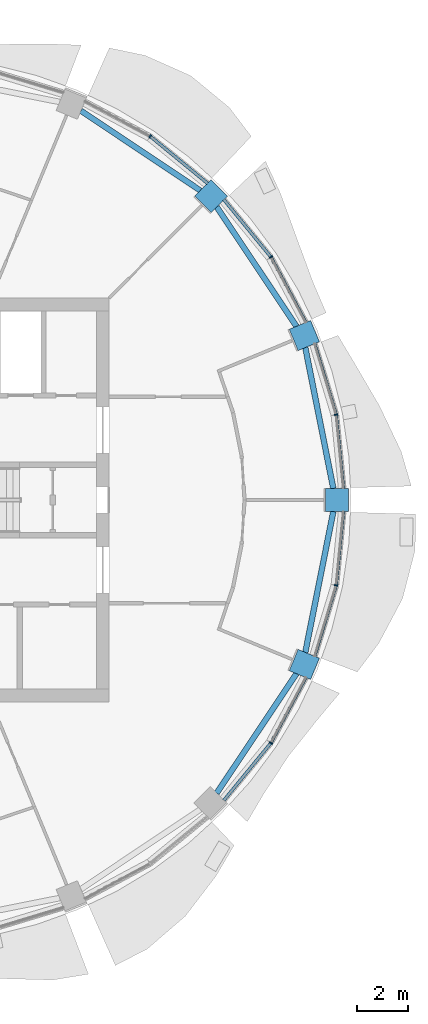
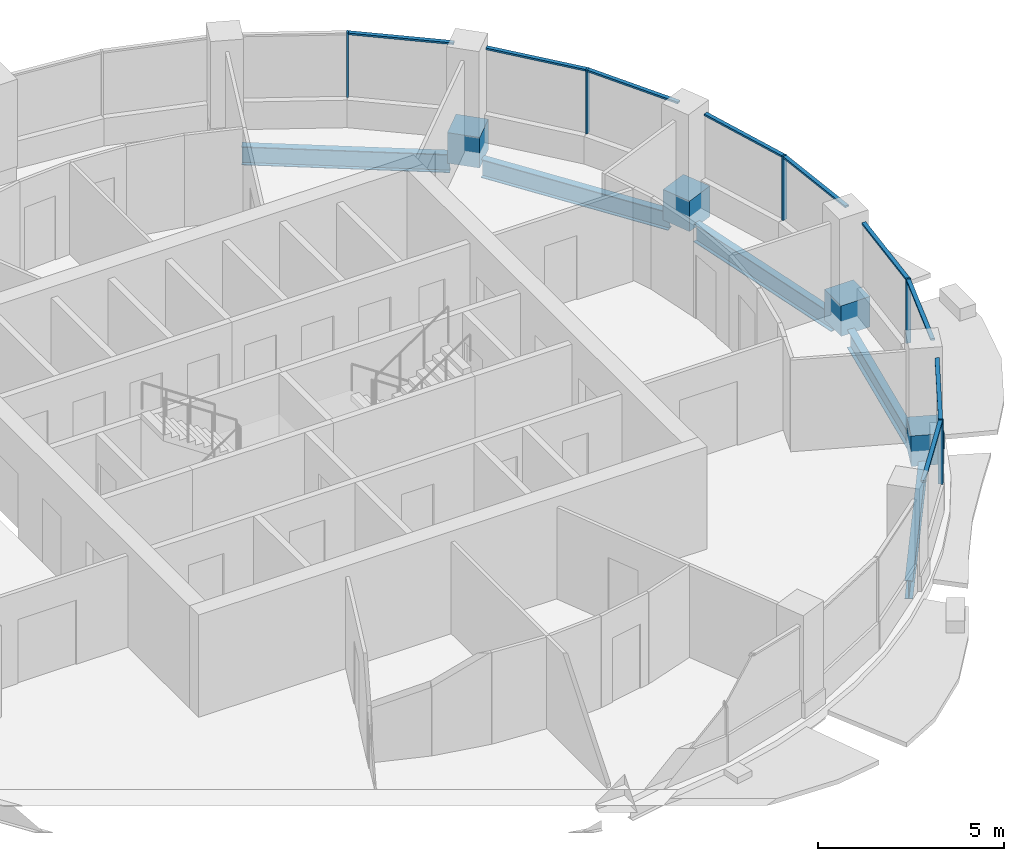
# One storey, part 5 of 15: 18 members, 5 beams, 5 elements without a shape of their own.
"""IFC4 building model written with IfcOpenShell, lengths in metres."""

from ifc_helpers import new_model, si_unit, direction, frame, origin, origin_2d, place, context, subcontext, project, spatial, rectangle, i_section, extrude, material, material_profile, profile_set, type_object, element, aggregate, save


model = new_model("IFC4")

# Units and contexts
model_context = context("Model", 3, precision=1e-05, world=origin(), true_north=direction((0.0, 1.0)))
body_context = subcontext(model_context, "Body", "Model", "MODEL_VIEW")
ifc_project = project(units=[si_unit("LENGTHUNIT", "METRE"), si_unit("AREAUNIT", "SQUARE_METRE"), si_unit("VOLUMEUNIT", "CUBIC_METRE"), si_unit("PLANEANGLEUNIT", "RADIAN"), si_unit("MASSUNIT", "GRAM", prefix="KILO")], contexts=[model_context])

# Site, building, storey
site_placement = place(None, origin())
site = spatial("IfcSite", under=ifc_project, at=site_placement, CompositionType="ELEMENT")
building_placement = place(site_placement, origin())
building = spatial("IfcBuilding", under=site, at=building_placement, Name="Polderwave Tower", CompositionType="ELEMENT")
storey_placement = place(building_placement, frame((0.0, 0.0, 197.699951171875)))
storey = spatial("IfcBuildingStorey", under=building, at=storey_placement, Name="L53", CompositionType="ELEMENT", Elevation=197.699951171875)

# Curtain wall, member
ifc_material_1 = material(Name="Aluminium 6063-T6 and glass", Category="aluminium")
curtain_wall_type = type_object("IfcCurtainWallType", Name="Office ribbon glazing wall", PredefinedType="NOTDEFINED", material=ifc_material_1)
curtain_wall_1_placement = place(storey_placement, origin())
curtain_wall_1 = element("IfcCurtainWall", 1, at=curtain_wall_1_placement, inside=storey, type_object=curtain_wall_type, Name="CW3 L53 00", PredefinedType="NOTDEFINED")
ifc_material_2 = material(Name="Aluminium 6063-T6", Category="aluminium")
ifc_material_profile_1 = material_profile(ifc_material_2, rectangle(XDim=0.139892578125, YDim=0.054931640625, at=origin_2d()), Name="AL 55x140")
ifc_profile_set_1 = profile_set([ifc_material_profile_1], Name="Aluminium 6063-T6")
member_type_1 = type_object("IfcMemberType", Name="Office ribbon glazing mullion 55x140", PredefinedType="MULLION", material=ifc_profile_set_1)
member_1_placement = place(storey_placement, frame((16.721923828125, 3.325927734375, 0.900146484375), z_axis=(0.0, 0.0, 1.0), x_axis=(-0.980762460409, -0.195205010829, 0.0)))
member_1 = element("IfcMember", 2, at=member_1_placement, type_object=member_type_1, Name="CW3 mullion 1", PredefinedType="MULLION", context=body_context, shape_type="SweptSolid", body=[
    extrude(rectangle(XDim=0.139892578125, YDim=0.054931640625, at=origin_2d()), origin(), (0.0, 0.0, 1.0), 2.099853515625),
])

curtain_wall_2_placement = place(storey_placement, origin())
curtain_wall_2 = element("IfcCurtainWall", 3, at=curtain_wall_2_placement, inside=storey, type_object=curtain_wall_type, Name="CW3 L53 01", PredefinedType="NOTDEFINED")
member_2_placement = place(storey_placement, frame((14.177001953125, 9.471923828125, 0.900146484375), z_axis=(0.0, 0.0, 1.0), x_axis=(-0.831480278332, -0.555554269847, 0.0)))
member_2 = element("IfcMember", 4, at=member_2_placement, type_object=member_type_1, Name="CW3 mullion 1", PredefinedType="MULLION", context=body_context, shape_type="SweptSolid", body=[
    extrude(rectangle(XDim=0.139892578125, YDim=0.054931640625, at=origin_2d()), origin(), (0.0, 0.0, 1.0), 2.099853515625),
])

curtain_wall_3_placement = place(storey_placement, origin())
curtain_wall_3 = element("IfcCurtainWall", 5, at=curtain_wall_3_placement, inside=storey, type_object=curtain_wall_type, Name="CW3 L53 02", PredefinedType="NOTDEFINED")
member_3_placement = place(storey_placement, frame((9.471923828125, 14.177001953125, 0.900146484375), z_axis=(0.0, 0.0, 1.0), x_axis=(-0.555554269847, -0.831480278332, 0.0)))
member_3 = element("IfcMember", 6, at=member_3_placement, type_object=member_type_1, Name="CW3 mullion 1", PredefinedType="MULLION", context=body_context, shape_type="SweptSolid", body=[
    extrude(rectangle(XDim=0.139892578125, YDim=0.054931640625, at=origin_2d()), origin(), (0.0, 0.0, 1.0), 2.099853515625),
])

curtain_wall_4_placement = place(storey_placement, origin())
curtain_wall_4 = element("IfcCurtainWall", 7, at=curtain_wall_4_placement, inside=storey, type_object=curtain_wall_type, Name="CW3 L53 14", PredefinedType="NOTDEFINED")
member_4_placement = place(storey_placement, frame((14.177001953125, -9.471923828125, 0.900146484375), z_axis=(0.0, 0.0, 1.0), x_axis=(-0.831480278332, 0.555554269847, 0.0)))
member_4 = element("IfcMember", 8, at=member_4_placement, type_object=member_type_1, Name="CW3 mullion 1", PredefinedType="MULLION", context=body_context, shape_type="SweptSolid", body=[
    extrude(rectangle(XDim=0.139892578125, YDim=0.054931640625, at=origin_2d()), origin(), (0.0, 0.0, 1.0), 2.099853515625),
])

curtain_wall_5_placement = place(storey_placement, origin())
curtain_wall_5 = element("IfcCurtainWall", 9, at=curtain_wall_5_placement, inside=storey, type_object=curtain_wall_type, Name="CW3 L53 15", PredefinedType="NOTDEFINED")
member_5_placement = place(storey_placement, frame((16.721923828125, -3.325927734375, 0.900146484375), z_axis=(0.0, 0.0, 1.0), x_axis=(-0.980762460409, 0.195205010829, 0.0)))
member_5 = element("IfcMember", 10, at=member_5_placement, type_object=member_type_1, Name="CW3 mullion 1", PredefinedType="MULLION", context=body_context, shape_type="SweptSolid", body=[
    extrude(rectangle(XDim=0.139892578125, YDim=0.054931640625, at=origin_2d()), origin(), (0.0, 0.0, 1.0), 2.099853515625),
])

# Member
ifc_material_profile_2 = material_profile(ifc_material_2, rectangle(XDim=0.1201171875, YDim=0.06005859375, at=origin_2d()), Name="AL 60x120")
ifc_profile_set_2 = profile_set([ifc_material_profile_2], Name="Aluminium 6063-T6")
member_type_2 = type_object("IfcMemberType", Name="Office ribbon glazing transom 60x120", PredefinedType="USERDEFINED", material=ifc_profile_set_2)
member_6_placement = place(storey_placement, frame((17.006103515625, 0.449951171875, 2.969970703125), z_axis=(-0.098338314772, 0.99515304142, 0.0), x_axis=(-0.99515304142, -0.098338314772, 0.0)))
member_6 = element("IfcMember", 11, at=member_6_placement, type_object=member_type_2, Name="CW3 transom 1", ObjectType="TRANSOM", PredefinedType="USERDEFINED", context=body_context, shape_type="SweptSolid", body=[
    extrude(rectangle(XDim=0.1201171875, YDim=0.06005859375, at=origin_2d()), origin(), (0.0, 0.0, 1.0), 2.862548828125),
])

member_7_placement = place(storey_placement, frame((16.714111328125, 3.352294921875, 2.969970703125), z_axis=(-0.290272457704, 0.956944042407, 0.0), x_axis=(-0.956944042407, -0.290272457704, 0.0)))
member_7 = element("IfcMember", 12, at=member_7_placement, type_object=member_type_2, Name="CW3 transom 2", ObjectType="TRANSOM", PredefinedType="USERDEFINED", context=body_context, shape_type="SweptSolid", body=[
    extrude(rectangle(XDim=0.1201171875, YDim=0.06005859375, at=origin_2d()), origin(), (0.0, 0.0, 1.0), 2.863037109375),
])

aggregate(curtain_wall_1, [member_1, member_6, member_7])

member_8_placement = place(storey_placement, frame((15.5390625, 6.924072265625, 2.969970703125), z_axis=(-0.471447059803, 0.881894364311, 0.0), x_axis=(-0.881894364311, -0.471447059803, 0.0)))
member_8 = element("IfcMember", 13, at=member_8_placement, type_object=member_type_2, Name="CW3 transom 1", ObjectType="TRANSOM", PredefinedType="USERDEFINED", context=body_context, shape_type="SweptSolid", body=[
    extrude(rectangle(XDim=0.1201171875, YDim=0.06005859375, at=origin_2d()), origin(), (0.0, 0.0, 1.0), 2.861572265625),
])

member_9_placement = place(storey_placement, frame((14.15966796875, 9.493408203125, 2.969970703125), z_axis=(-0.634388465012, 0.773014408313, 0.0), x_axis=(-0.773014408313, -0.634388465012, 0.0)))
member_9 = element("IfcMember", 14, at=member_9_placement, type_object=member_type_2, Name="CW3 transom 2", ObjectType="TRANSOM", PredefinedType="USERDEFINED", context=body_context, shape_type="SweptSolid", body=[
    extrude(rectangle(XDim=0.1201171875, YDim=0.06005859375, at=origin_2d()), origin(), (0.0, 0.0, 1.0), 2.863525390625),
])

aggregate(curtain_wall_2, [member_2, member_8, member_9])

member_10_placement = place(storey_placement, frame((11.70703125, 12.343017578125, 2.969970703125), z_axis=(-0.773014408313, 0.634388465012, 0.0), x_axis=(-0.634388465012, -0.773014408313, 0.0)))
member_10 = element("IfcMember", 15, at=member_10_placement, type_object=member_type_2, Name="CW3 transom 1", ObjectType="TRANSOM", PredefinedType="USERDEFINED", context=body_context, shape_type="SweptSolid", body=[
    extrude(rectangle(XDim=0.1201171875, YDim=0.06005859375, at=origin_2d()), origin(), (0.0, 0.0, 1.0), 2.863525390625),
])

aggregate(curtain_wall_3, [member_3, member_10])

member_11_placement = place(storey_placement, frame((12.343017578125, -11.70703125, 2.969970703125), z_axis=(0.634388465012, 0.773014408313, 0.0), x_axis=(-0.773014408313, 0.634388465012, 0.0)))
member_11 = element("IfcMember", 16, at=member_11_placement, type_object=member_type_2, Name="CW3 transom 1", ObjectType="TRANSOM", PredefinedType="USERDEFINED", context=body_context, shape_type="SweptSolid", body=[
    extrude(rectangle(XDim=0.1201171875, YDim=0.06005859375, at=origin_2d()), origin(), (0.0, 0.0, 1.0), 2.863525390625),
])

member_12_placement = place(storey_placement, frame((14.18994140625, -9.44775390625, 2.969970703125), z_axis=(0.471447059803, 0.881894364311, 0.0), x_axis=(-0.881894364311, 0.471447059803, 0.0)))
member_12 = element("IfcMember", 17, at=member_12_placement, type_object=member_type_2, Name="CW3 transom 2", ObjectType="TRANSOM", PredefinedType="USERDEFINED", context=body_context, shape_type="SweptSolid", body=[
    extrude(rectangle(XDim=0.1201171875, YDim=0.06005859375, at=origin_2d()), origin(), (0.0, 0.0, 1.0), 2.861572265625),
])

aggregate(curtain_wall_4, [member_4, member_11, member_12])

member_13_placement = place(storey_placement, frame((15.883056640625, -6.092041015625, 2.969970703125), z_axis=(0.290272457704, 0.956944042407, 0.0), x_axis=(-0.956944042407, 0.290272457704, 0.0)))
member_13 = element("IfcMember", 18, at=member_13_placement, type_object=member_type_2, Name="CW3 transom 1", ObjectType="TRANSOM", PredefinedType="USERDEFINED", context=body_context, shape_type="SweptSolid", body=[
    extrude(rectangle(XDim=0.1201171875, YDim=0.06005859375, at=origin_2d()), origin(), (0.0, 0.0, 1.0), 2.863037109375),
])

member_14_placement = place(storey_placement, frame((16.724609375, -3.298583984375, 2.969970703125), z_axis=(0.098338314772, 0.99515304142, 0.0), x_axis=(-0.99515304142, 0.098338314772, 0.0)))
member_14 = element("IfcMember", 19, at=member_14_placement, type_object=member_type_2, Name="CW3 transom 2", ObjectType="TRANSOM", PredefinedType="USERDEFINED", context=body_context, shape_type="SweptSolid", body=[
    extrude(rectangle(XDim=0.1201171875, YDim=0.06005859375, at=origin_2d()), origin(), (0.0, 0.0, 1.0), 2.862548828125),
])

aggregate(curtain_wall_5, [member_5, member_13, member_14])

# Members
ifc_material_3 = material(Name="Concrete C60/75", Category="concrete")
ifc_material_profile_3 = material_profile(ifc_material_3, rectangle(XDim=0.89990234375, YDim=0.89990234375, at=origin_2d()), Name="RC 900x900")
ifc_profile_set_3 = profile_set([ifc_material_profile_3], Name="Concrete C60/75")
member_type_3 = type_object("IfcMemberType", Name="RC NODE 900x900 C60/75", PredefinedType="POST", material=ifc_profile_set_3)
for number, where, z_axis, x_axis, name in (
    (20, (16.755859375, 0.0, -0.5), (0.0, 0.0, 1.0), (1.0, 0.0, 0.0), "Ring column node 01"),
    (21, (15.48046875, 6.412109375, -0.5), (0.0, 0.0, 1.0), (0.923879532511, 0.382683432365, 0.0), "Ring column node 02"),
    (22, (11.84814453125, 11.84814453125, -0.5), (0.0, 0.0, 1.0), (0.707106781187, 0.707106781187, 0.0), "Ring column node 03"),
    (23, (15.48046875, -6.412109375, -0.5), (0.0, 0.0, 1.0), (0.923879532511, -0.382683432365, 0.0), "Ring column node 16"),
):
    element("IfcMember", number, at=place(storey_placement, frame(where, z_axis=z_axis, x_axis=x_axis)), inside=storey, type_object=member_type_3, Name=name, PredefinedType="POST", context=body_context, shape_type="SweptSolid", body=[
        extrude(rectangle(XDim=0.89990234375, YDim=0.89990234375, at=origin_2d()), origin(), (0.0, 0.0, 1.0), 1.0),
    ])

# Beams
ifc_material_4 = material(Name="Steel S355", Category="steel")
ifc_material_profile_4 = material_profile(ifc_material_4, i_section(OverallWidth=0.219970703125, OverallDepth=0.60009765625, WebThickness=0.011962890625, FlangeThickness=0.01904296875, at=origin_2d()), Name="IPE 600")
ifc_profile_set_4 = profile_set([ifc_material_profile_4], Name="Steel S355")
beam_type = type_object("IfcBeamType", Name="RING BEAM IPE 600", PredefinedType="BEAM", material=ifc_profile_set_4)
for number, where, z_axis, x_axis, name in (
    (24, (16.610595703125, 0.449951171875, -0.64990234375), (-0.195101310105, 0.980783094673, 0.0), (-0.980783094673, -0.195101310105, 0.0), "ST-RB-L53-00"),
    (25, (15.173828125, 6.772216796875, -0.64990234375), (-0.555565346345, 0.831472877453, 0.0), (-0.831472877453, -0.555565346345, 0.0), "ST-RB-L53-01"),
    (26, (11.42724609375, 12.0634765625, -0.64990234375), (-0.831472877453, 0.555565346345, 0.0), (-0.555565346345, -0.831472877453, 0.0), "ST-RB-L53-02"),
    (27, (12.0634765625, -11.42724609375, -0.64990234375), (0.555565346345, 0.831472877453, 0.0), (-0.831472877453, 0.555565346345, 0.0), "ST-RB-L53-14"),
    (28, (15.518310546875, -5.94091796875, -0.64990234375), (0.195101310105, 0.980783094673, 0.0), (-0.980783094673, 0.195101310105, 0.0), "ST-RB-L53-15"),
):
    element("IfcBeam", number, at=place(storey_placement, frame(where, z_axis=z_axis, x_axis=x_axis)), inside=storey, type_object=beam_type, Name=name, PredefinedType="BEAM", context=body_context, shape_type="SweptSolid", body=[
        extrude(i_section(OverallWidth=0.219970703125, OverallDepth=0.60009765625, WebThickness=0.011962890625, FlangeThickness=0.01904296875, at=origin_2d()), origin(), (0.0, 0.0, 1.0), 5.5986328125),
    ])

save(model, "model.ifc")
